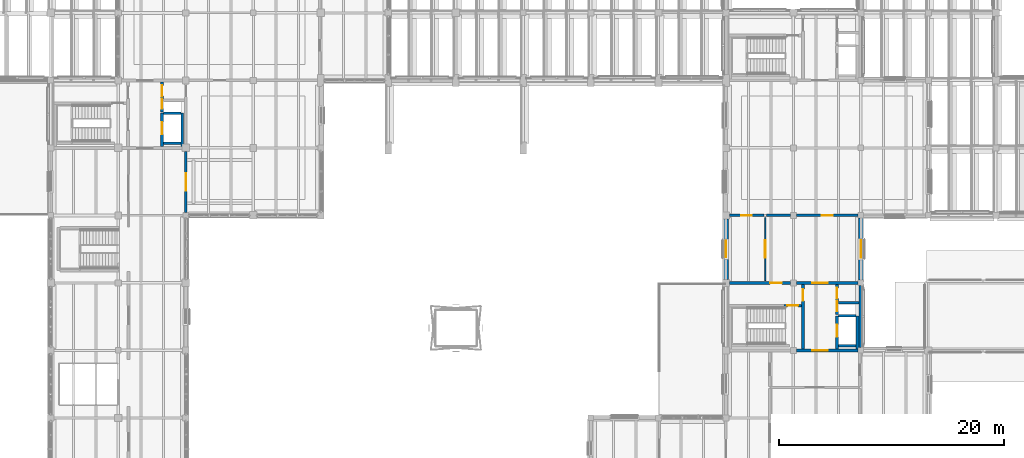
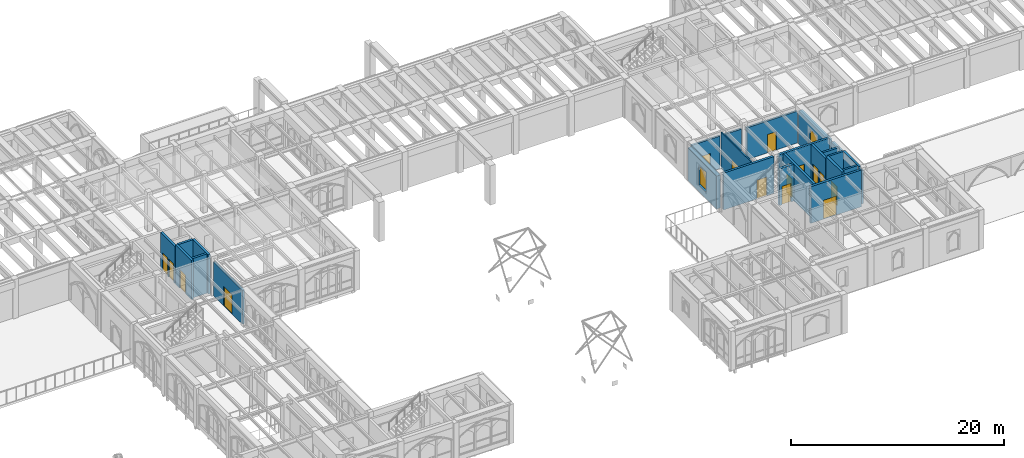
# One storey, part 81 of 127: 24 walls, 15 doors, 2 windows, 17 openings.
"""IFC4 building model written with IfcOpenShell, lengths in metres."""

from ifc_helpers import new_model, si_unit, direction, frame, frame_2d, origin, place, context, subcontext, project, spatial, rectangle, extrude, material, layer, layer_set, type_object, element, fill, save


model = new_model("IFC4")

# Units and contexts
model_context = context("Model", 3, precision=1e-05, world=origin(), true_north=direction((0.0, 1.0)))
body_context = subcontext(model_context, "Body", "Model", "MODEL_VIEW")
ifc_project = project(units=[si_unit("LENGTHUNIT", "METRE"), si_unit("AREAUNIT", "SQUARE_METRE"), si_unit("VOLUMEUNIT", "CUBIC_METRE"), si_unit("PLANEANGLEUNIT", "RADIAN"), si_unit("MASSUNIT", "GRAM", prefix="KILO")], contexts=[model_context])

# Site, building, storey
site_placement = place(None, origin())
site = spatial("IfcSite", under=ifc_project, at=site_placement, CompositionType="ELEMENT")
building_placement = place(site_placement, origin())
building = spatial("IfcBuilding", under=site, at=building_placement, Name="Cumevento Cable Car Station", CompositionType="ELEMENT")
storey_placement = place(building_placement, frame((0.0, 0.0, 4.5)))
storey = spatial("IfcBuildingStorey", under=building, at=storey_placement, Name="L02", CompositionType="ELEMENT", Elevation=4.5)

# Wall
ifc_material_1 = material(Name="Concrete C40/50", Category="concrete")
ifc_layer_1 = layer(ifc_material_1, 0.35498046875)
ifc_layer_set_1 = layer_set([ifc_layer_1], Name="Concrete C40/50")
wall_type_1 = type_object("IfcWallType", Name="Exterior Envelope Wall EW-355 355", PredefinedType="SOLIDWALL", material=ifc_layer_set_1)
wall_1_placement = place(storey_placement, frame((130.0, 26.75, 0.0), z_axis=(0.0, 0.0, 1.0), x_axis=(0.0, -1.0, 0.0)))
element("IfcWall", 1, at=wall_1_placement, inside=storey, type_object=wall_type_1, Name="Exterior Wall EW-355 L02 #166", PredefinedType="SOLIDWALL", context=body_context, shape_type="SweptSolid", body=[
    extrude(rectangle(XDim=5.5, YDim=0.35498046875, at=frame_2d((2.75, 0.0))), origin(), (0.0, 0.0, 1.0), 3.797119140625),
])

# Wall, opening, window
ifc_material_2 = material(Name="Gnaisse Facoidal Stone Ashlar 85 MPa", Category="masonry")
ifc_layer_2 = layer(ifc_material_2, 0.429931640625)
ifc_layer_set_2 = layer_set([ifc_layer_2], Name="Gnaisse Facoidal Stone Ashlar 85 MPa")
wall_type_2 = type_object("IfcWallType", Name="Exterior Envelope Wall EW-430 430", PredefinedType="SOLIDWALL", material=ifc_layer_set_2)
wall_2_placement = place(storey_placement, frame((118.0, 27.300048828125, 0.0), z_axis=(0.0, 0.0, 1.0), x_axis=(0.0, 1.0, 0.0)))
wall_2 = element("IfcWall", 2, at=wall_2_placement, inside=storey, type_object=wall_type_2, Name="Exterior Wall EW-430 L02 #167", PredefinedType="SOLIDWALL", context=body_context, shape_type="SweptSolid", body=[
    extrude(rectangle(XDim=5.39990234375, YDim=0.429931640625, at=frame_2d((2.699951171875, 0.0))), origin(), (0.0, 0.0, 1.0), 3.778076171875),
])
opening_1_placement = place(wall_2_placement, frame((1.97509765625, 0.0, 0.75)))
opening_1 = element("IfcOpeningElement", 3, at=opening_1_placement, cuts=wall_2, Name="Opening WN-L02-055", PredefinedType="OPENING", context=body_context, shape_type="SweptSolid", body=[
    extrude(rectangle(XDim=1.449951171875, YDim=2.25, at=frame_2d((0.72509765625, 1.125))), frame((0.0, 0.224853515625, 0.0), z_axis=(0.0, -1.0, 0.0), x_axis=(1.0, 0.0, 0.0)), (0.0, 0.0, 1.0), 0.449951171875),
])
ifc_material_3 = material(Name="Anodised Bronze Aluminium & Laminated Solar Glass", Category="aluminium")
window_type_1 = type_object("IfcWindowType", Name="Lancet Window WN-07 1450x2250", PartitioningType="SINGLE_PANEL", PredefinedType="WINDOW", material=ifc_material_3)
window_1_placement = place(opening_1_placement, origin())
window_1 = element("IfcWindow", 4, at=window_1_placement, inside=storey, type_object=window_type_1, Name="Lancet Window WN-L02-055 (WN-07)", OverallHeight=2.25, OverallWidth=1.449951171875, PartitioningType="SINGLE_PANEL", PredefinedType="WINDOW", context=body_context, shape_type="SweptSolid", body=[
    extrude(rectangle(XDim=1.449951171875, YDim=2.25, at=frame_2d((0.72509765625, 1.125))), frame((0.0, 0.030029296875, 0.0), z_axis=(0.0, -1.0, 0.0), x_axis=(1.0, 0.0, 0.0)), (0.0, 0.0, 1.0), 0.06005859375),
])
fill(opening_1, window_1)

ifc_material_4 = material(Name="Concrete C40/50", Category="concrete")
ifc_layer_3 = layer(ifc_material_4, 0.449951171875)
ifc_layer_set_3 = layer_set([ifc_layer_3], Name="Concrete C40/50")
wall_type_3 = type_object("IfcWallType", Name="Exterior Envelope Wall EW-450 450", PredefinedType="SOLIDWALL", material=ifc_layer_set_3)
wall_3_placement = place(storey_placement, frame((130.0, 32.75, 0.0), z_axis=(0.0, 0.0, 1.0), x_axis=(0.0, -1.0, 0.0)))
wall_3 = element("IfcWall", 5, at=wall_3_placement, inside=storey, type_object=wall_type_3, Name="Exterior Wall EW-450 L02 #168", PredefinedType="SOLIDWALL", context=body_context, shape_type="SweptSolid", body=[
    extrude(rectangle(XDim=5.5, YDim=0.449951171875, at=frame_2d((2.75, 0.0))), origin(), (0.0, 0.0, 1.0), 3.778076171875),
])
opening_2_placement = place(wall_3_placement, frame((1.97509765625, 0.0, 0.75)))
opening_2 = element("IfcOpeningElement", 6, at=opening_2_placement, cuts=wall_3, Name="Opening WN-L02-056", PredefinedType="OPENING", context=body_context, shape_type="SweptSolid", body=[
    extrude(rectangle(XDim=1.550048828125, YDim=2.25, at=frame_2d((0.77490234375, 1.125))), frame((0.0, 0.235107421875, 0.0), z_axis=(0.0, -1.0, 0.0), x_axis=(1.0, 0.0, 0.0)), (0.0, 0.0, 1.0), 0.469970703125),
])
ifc_material_5 = material(Name="Anodised Bronze Aluminium & Laminated Solar Glass", Category="aluminium")
window_type_2 = type_object("IfcWindowType", Name="Lancet Window WN-08 1550x2250", PartitioningType="DOUBLE_PANEL_VERTICAL", PredefinedType="WINDOW", material=ifc_material_5)
window_2_placement = place(opening_2_placement, origin())
window_2 = element("IfcWindow", 7, at=window_2_placement, inside=storey, type_object=window_type_2, Name="Lancet Window WN-L02-056 (WN-08)", OverallHeight=2.25, OverallWidth=1.550048828125, PartitioningType="SINGLE_PANEL", PredefinedType="WINDOW", context=body_context, shape_type="SweptSolid", body=[
    extrude(rectangle(XDim=1.550048828125, YDim=2.25, at=frame_2d((0.77490234375, 1.125))), frame((0.0, 0.030029296875, 0.0), z_axis=(0.0, -1.0, 0.0), x_axis=(1.0, 0.0, 0.0)), (0.0, 0.0, 1.0), 0.06005859375),
])
fill(opening_2, window_2)

# Wall, opening, door
ifc_material_6 = material(Name="Concrete C40/50", Category="concrete")
ifc_layer_4 = layer(ifc_material_6, 0.219970703125)
ifc_layer_set_4 = layer_set([ifc_layer_4], Name="Concrete C40/50")
wall_type_4 = type_object("IfcWallType", Name="Interior Partition FW-220 220", PredefinedType="SOLIDWALL", material=ifc_layer_set_4)
wall_4_placement = place(storey_placement, frame((70.0, 33.251953125, 0.0), z_axis=(0.0, 0.0, 1.0), x_axis=(0.0, 1.0, 0.0)))
wall_4 = element("IfcWall", 8, at=wall_4_placement, inside=storey, type_object=wall_type_4, Name="Interior Wall FW-220 L02 #609", PredefinedType="SOLIDWALL", context=body_context, shape_type="SweptSolid", body=[
    extrude(rectangle(XDim=5.421142578125, YDim=0.219970703125, at=frame_2d((2.71044921875, 0.0))), origin(), (0.0, 0.0, 1.0), 3.8740234375),
])
opening_3_placement = place(wall_4_placement, frame((1.92041015625, 0.0, 0.0)))
opening_3 = element("IfcOpeningElement", 9, at=opening_3_placement, cuts=wall_4, Name="Opening DR-L02-218", PredefinedType="OPENING", context=body_context, shape_type="SweptSolid", body=[
    extrude(rectangle(XDim=1.580078125, YDim=2.199951171875, at=frame_2d((0.7900390625, 1.10009765625))), frame((0.0, 0.119873046875, 0.0), z_axis=(0.0, -1.0, 0.0), x_axis=(1.0, 0.0, 0.0)), (0.0, 0.0, 1.0), 0.239990234375),
])
ifc_material_7 = material(Name="Galvanised Painted Steel Fire Door", Category="steel")
door_type_1 = type_object("IfcDoorType", Name="Interior Door FD-06 1580x2200", OperationType="NOTDEFINED", PredefinedType="DOOR", material=ifc_material_7)
door_1_placement = place(opening_3_placement, origin())
door_1 = element("IfcDoor", 10, at=door_1_placement, inside=storey, type_object=door_type_1, Name="Interior Door DR-L02-218 (FD-06)", OperationType="DOUBLE_DOOR_SINGLE_SWING", OverallHeight=2.199951171875, OverallWidth=1.580078125, PredefinedType="DOOR", context=body_context, shape_type="SweptSolid", body=[
    extrude(rectangle(XDim=1.580078125, YDim=2.199951171875, at=frame_2d((0.7900390625, 1.10009765625))), frame((0.0, 0.02490234375, 0.0), z_axis=(0.0, -1.0, 0.0), x_axis=(1.0, 0.0, 0.0)), (0.0, 0.0, 1.0), 0.050048828125),
])
fill(opening_3, door_1)

wall_5_placement = place(storey_placement, frame((118.302001953125, 33.0, 0.0), z_axis=(0.0, 0.0, 1.0), x_axis=(1.0, 0.0, 0.0)))
wall_5 = element("IfcWall", 11, at=wall_5_placement, inside=storey, type_object=wall_type_4, Name="Interior Wall FW-220 L02 #624", PredefinedType="SOLIDWALL", context=body_context, shape_type="SweptSolid", body=[
    extrude(rectangle(XDim=3.097900390625, YDim=0.219970703125, at=frame_2d((1.548828125, 0.0))), origin(), (0.0, 0.0, 1.0), 3.721923828125),
])
opening_4_placement = place(wall_5_placement, frame((1.0791015625, 0.0, 0.0)))
opening_4 = element("IfcOpeningElement", 12, at=opening_4_placement, cuts=wall_5, Name="Opening DR-L02-228", PredefinedType="OPENING", context=body_context, shape_type="SweptSolid", body=[
    extrude(rectangle(XDim=0.93994140625, YDim=2.10009765625, at=frame_2d((0.469970703125, 1.050048828125))), frame((0.0, 0.119873046875, 0.0), z_axis=(0.0, -1.0, 0.0), x_axis=(1.0, 0.0, 0.0)), (0.0, 0.0, 1.0), 0.239990234375),
])
ifc_material_8 = material(Name="Galvanised Painted Steel Fire Door", Category="steel")
door_type_2 = type_object("IfcDoorType", Name="Interior Door FD-08 940x2100", OperationType="NOTDEFINED", PredefinedType="DOOR", material=ifc_material_8)
door_2_placement = place(opening_4_placement, origin())
door_2 = element("IfcDoor", 13, at=door_2_placement, inside=storey, type_object=door_type_2, Name="Interior Door DR-L02-228 (FD-08)", OperationType="SINGLE_SWING_RIGHT", OverallHeight=2.10009765625, OverallWidth=0.93994140625, PredefinedType="DOOR", context=body_context, shape_type="SweptSolid", body=[
    extrude(rectangle(XDim=0.93994140625, YDim=2.10009765625, at=frame_2d((0.469970703125, 1.050048828125))), frame((0.0, 0.02490234375, 0.0), z_axis=(0.0, -1.0, 0.0), x_axis=(1.0, 0.0, 0.0)), (0.0, 0.0, 1.0), 0.050048828125),
])
fill(opening_4, door_2)

wall_6_placement = place(storey_placement, frame((124.277099609375, 33.0, 0.0), z_axis=(0.0, 0.0, 1.0), x_axis=(1.0, 0.0, 0.0)))
wall_6 = element("IfcWall", 14, at=wall_6_placement, inside=storey, type_object=wall_type_4, Name="Interior Wall FW-220 L02 #625", PredefinedType="SOLIDWALL", context=body_context, shape_type="SweptSolid", body=[
    extrude(rectangle(XDim=5.470947265625, YDim=0.219970703125, at=frame_2d((2.7353515625, 0.0))), origin(), (0.0, 0.0, 1.0), 3.64599609375),
])
opening_5_placement = place(wall_6_placement, frame((2.265380859375, 0.0, 0.0)))
opening_5 = element("IfcOpeningElement", 15, at=opening_5_placement, cuts=wall_6, Name="Opening DR-L02-229", PredefinedType="OPENING", context=body_context, shape_type="SweptSolid", body=[
    extrude(rectangle(XDim=0.93994140625, YDim=2.10009765625, at=frame_2d((0.469970703125, 1.050048828125))), frame((0.0, 0.119873046875, 0.0), z_axis=(0.0, -1.0, 0.0), x_axis=(1.0, 0.0, 0.0)), (0.0, 0.0, 1.0), 0.239990234375),
])
door_3_placement = place(opening_5_placement, origin())
door_3 = element("IfcDoor", 16, at=door_3_placement, inside=storey, type_object=door_type_2, Name="Interior Door DR-L02-229 (FD-08)", OperationType="SINGLE_SWING_LEFT", OverallHeight=2.10009765625, OverallWidth=0.93994140625, PredefinedType="DOOR", context=body_context, shape_type="SweptSolid", body=[
    extrude(rectangle(XDim=0.93994140625, YDim=2.10009765625, at=frame_2d((0.469970703125, 1.050048828125))), frame((0.0, 0.02490234375, 0.0), z_axis=(0.0, -1.0, 0.0), x_axis=(1.0, 0.0, 0.0)), (0.0, 0.0, 1.0), 0.050048828125),
])
fill(opening_5, door_3)

# Wall
wall_7_placement = place(storey_placement, frame((121.60009765625, 33.0, 0.0), z_axis=(0.0, 0.0, 1.0), x_axis=(1.0, 0.0, 0.0)))
element("IfcWall", 17, at=wall_7_placement, inside=storey, type_object=wall_type_4, Name="Interior Wall FW-220 L02 #626", PredefinedType="SOLIDWALL", context=body_context, shape_type="SweptSolid", body=[
    extrude(rectangle(XDim=2.122802734375, YDim=0.219970703125, at=frame_2d((1.0615234375, 0.0))), origin(), (0.0, 0.0, 1.0), 3.721923828125),
])

# Wall, opening, door
ifc_material_9 = material(Name="Gypsum Board & Insulated Stud Partition", Category="gypsum")
ifc_layer_5 = layer(ifc_material_9, 0.125)
ifc_layer_set_5 = layer_set([ifc_layer_5], Name="Gypsum Board & Insulated Stud Partition")
wall_type_5 = type_object("IfcWallType", Name="Interior Partition PT-125 125", PredefinedType="PARTITIONING", material=ifc_layer_set_5)
wall_8_placement = place(storey_placement, frame((121.5, 27.199951171875, 0.0), z_axis=(0.0, 0.0, 1.0), x_axis=(0.0, 1.0, 0.0)))
wall_8 = element("IfcWall", 18, at=wall_8_placement, inside=storey, type_object=wall_type_5, Name="Interior Wall PT-125 L02 #623", PredefinedType="PARTITIONING", context=body_context, shape_type="SweptSolid", body=[
    extrude(rectangle(XDim=5.60009765625, YDim=0.125, at=frame_2d((2.800048828125, 0.0))), origin(), (0.0, 0.0, 1.0), 4.2041015625),
])
opening_6_placement = place(wall_8_placement, frame((2.030029296875, 0.0, 0.0)))
opening_6 = element("IfcOpeningElement", 19, at=opening_6_placement, cuts=wall_8, Name="Opening DR-L02-227", PredefinedType="OPENING", context=body_context, shape_type="SweptSolid", body=[
    extrude(rectangle(XDim=1.5400390625, YDim=2.260009765625, at=frame_2d((0.77001953125, 1.1298828125))), frame((0.0, 0.072509765625, 0.0), z_axis=(0.0, -1.0, 0.0), x_axis=(1.0, 0.0, 0.0)), (0.0, 0.0, 1.0), 0.14501953125),
])
ifc_material_10 = material(Name="Anodised Bronze Aluminium Glazed Door", Category="aluminium")
door_type_3 = type_object("IfcDoorType", Name="Interior Door ID-11 1540x2260", OperationType="NOTDEFINED", PredefinedType="DOOR", material=ifc_material_10)
door_4_placement = place(opening_6_placement, origin())
door_4 = element("IfcDoor", 20, at=door_4_placement, inside=storey, type_object=door_type_3, Name="Interior Door DR-L02-227 (ID-11)", OperationType="DOUBLE_DOOR_SINGLE_SWING", OverallHeight=2.260009765625, OverallWidth=1.5400390625, PredefinedType="DOOR", context=body_context, shape_type="SweptSolid", body=[
    extrude(rectangle(XDim=1.5400390625, YDim=2.260009765625, at=frame_2d((0.77001953125, 1.1298828125))), frame((0.0, 0.02490234375, 0.0), z_axis=(0.0, -1.0, 0.0), x_axis=(1.0, 0.0, 0.0)), (0.0, 0.0, 1.0), 0.050048828125),
])
fill(opening_6, door_4)

# Walls
ifc_material_11 = material(Name="Concrete C40/50", Category="concrete")
ifc_layer_6 = layer(ifc_material_11, 0.22998046875)
ifc_layer_set_6 = layer_set([ifc_layer_6], Name="Concrete C40/50")
wall_type_6 = type_object("IfcWallType", Name="Interior Shear Wall CW-230 230", PredefinedType="SHEAR", material=ifc_layer_set_6)
wall_9_placement = place(storey_placement, frame((68.0048828125, 39.419921875, 0.0), z_axis=(0.0, 0.0, 1.0), x_axis=(1.0, 0.0, 0.0)))
element("IfcWall", 21, at=wall_9_placement, inside=storey, type_object=wall_type_6, Name="Interior Wall CW-230 L02 #164", PredefinedType="SHEAR", context=body_context, shape_type="SweptSolid", body=[
    extrude(rectangle(XDim=1.580078125, YDim=0.22998046875, at=frame_2d((0.7900390625, 0.0))), origin(), (0.0, 0.0, 1.0), 4.5),
])
wall_10_placement = place(storey_placement, frame((69.699951171875, 39.114990234375, 0.0), z_axis=(0.0, 0.0, 1.0), x_axis=(0.0, 1.0, 0.0)))
element("IfcWall", 22, at=wall_10_placement, inside=storey, type_object=wall_type_6, Name="Interior Wall CW-230 L02 #165", PredefinedType="SHEAR", context=body_context, shape_type="SweptSolid", body=[
    extrude(rectangle(XDim=2.965087890625, YDim=0.22998046875, at=frame_2d((1.482421875, 0.0))), origin(), (0.0, 0.0, 1.0), 4.5),
])
for number, where, z_axis, x_axis, name in (
    (23, (68.0048828125, 42.080078125, 0.0), (0.0, 0.0, 1.0), (1.0, 0.0, 0.0), "Interior Wall CW-230 L02 #166"),
    (24, (128.0048828125, 21.419921875, 0.0), (0.0, 0.0, 1.0), (1.0, 0.0, 0.0), "Interior Wall CW-230 L02 #429"),
):
    element("IfcWall", number, at=place(storey_placement, frame(where, z_axis=z_axis, x_axis=x_axis)), inside=storey, type_object=wall_type_6, Name=name, PredefinedType="SHEAR", context=body_context, shape_type="SweptSolid", body=[
        extrude(rectangle(XDim=1.580078125, YDim=0.22998046875, at=frame_2d((0.7900390625, 0.0))), origin(), (0.0, 0.0, 1.0), 4.5),
    ])
wall_11_placement = place(storey_placement, frame((129.699951171875, 21.114990234375, 0.0), z_axis=(0.0, 0.0, 1.0), x_axis=(0.0, 1.0, 0.0)))
element("IfcWall", 25, at=wall_11_placement, inside=storey, type_object=wall_type_6, Name="Interior Wall CW-230 L02 #430", PredefinedType="SHEAR", context=body_context, shape_type="SweptSolid", body=[
    extrude(rectangle(XDim=2.965087890625, YDim=0.22998046875, at=frame_2d((1.482421875, 0.0))), origin(), (0.0, 0.0, 1.0), 4.5),
])
wall_12_placement = place(storey_placement, frame((128.0048828125, 24.080078125, 0.0), z_axis=(0.0, 0.0, 1.0), x_axis=(1.0, 0.0, 0.0)))
element("IfcWall", 26, at=wall_12_placement, inside=storey, type_object=wall_type_6, Name="Interior Wall CW-230 L02 #431", PredefinedType="SHEAR", context=body_context, shape_type="SweptSolid", body=[
    extrude(rectangle(XDim=1.580078125, YDim=0.22998046875, at=frame_2d((0.7900390625, 0.0))), origin(), (0.0, 0.0, 1.0), 4.5),
])
wall_13_placement = place(storey_placement, frame((128.0048828125, 25.219970703125, 0.0), z_axis=(0.0, 0.0, 1.0), x_axis=(1.0, 0.0, 0.0)))
element("IfcWall", 27, at=wall_13_placement, inside=storey, type_object=wall_type_6, Name="Interior Wall CW-230 L02 #433", PredefinedType="SHEAR", context=body_context, shape_type="SweptSolid", body=[
    extrude(rectangle(XDim=1.820068359375, YDim=0.22998046875, at=frame_2d((0.91015625, 0.0))), origin(), (0.0, 0.0, 1.0), 4.2041015625),
])

# Wall, opening, door
ifc_material_12 = material(Name="Concrete C40/50", Category="concrete")
ifc_layer_7 = layer(ifc_material_12, 0.25)
ifc_layer_set_7 = layer_set([ifc_layer_7], Name="Concrete C40/50")
wall_type_7 = type_object("IfcWallType", Name="Interior Shear Wall CW-250 250", PredefinedType="SHEAR", material=ifc_layer_set_7)
wall_14_placement = place(storey_placement, frame((67.8798828125, 39.114990234375, 0.0), z_axis=(0.0, 0.0, 1.0), x_axis=(0.0, 1.0, 0.0)))
wall_14 = element("IfcWall", 28, at=wall_14_placement, inside=storey, type_object=wall_type_7, Name="Interior Wall CW-250 L02 #163", PredefinedType="SHEAR", context=body_context, shape_type="SweptSolid", body=[
    extrude(rectangle(XDim=2.965087890625, YDim=0.25, at=frame_2d((1.482421875, 0.0))), origin(), (0.0, 0.0, 1.0), 4.5),
])
opening_7_placement = place(wall_14_placement, frame((1.094970703125, 0.0, 0.0)))
opening_7 = element("IfcOpeningElement", 29, at=opening_7_placement, cuts=wall_14, Name="Opening LD-LF01-L02", PredefinedType="OPENING", context=body_context, shape_type="SweptSolid", body=[
    extrude(rectangle(XDim=1.080078125, YDim=2.14990234375, at=frame_2d((0.5400390625, 1.074951171875))), frame((0.0, 0.135009765625, 0.0), z_axis=(0.0, -1.0, 0.0), x_axis=(1.0, 0.0, 0.0)), (0.0, 0.0, 1.0), 0.27001953125),
])
ifc_material_13 = material(Name="Brushed Stainless Steel Lift Door", Category="steel")
door_type_4 = type_object("IfcDoorType", Name="Interior Door LD-01 1080x2150", OperationType="NOTDEFINED", PredefinedType="DOOR", material=ifc_material_13)
door_5_placement = place(opening_7_placement, origin())
door_5 = element("IfcDoor", 30, at=door_5_placement, inside=storey, type_object=door_type_4, Name="Lift Landing Door LD-LF01-L02", OperationType="DOUBLE_DOOR_SLIDING", OverallHeight=2.14990234375, OverallWidth=1.080078125, PredefinedType="DOOR", context=body_context, shape_type="SweptSolid", body=[
    extrude(rectangle(XDim=1.080078125, YDim=2.14990234375, at=frame_2d((0.5400390625, 1.074951171875))), frame((0.0, 0.02490234375, 0.0), z_axis=(0.0, -1.0, 0.0), x_axis=(1.0, 0.0, 0.0)), (0.0, 0.0, 1.0), 0.050048828125),
])
fill(opening_7, door_5)

# Wall, openings, doors
wall_15_placement = place(storey_placement, frame((67.8798828125, 42.199951171875, 0.0), z_axis=(0.0, 0.0, 1.0), x_axis=(0.0, 1.0, 0.0)))
wall_15 = element("IfcWall", 31, at=wall_15_placement, inside=storey, type_object=wall_type_7, Name="Interior Wall CW-250 L02 #167", PredefinedType="SHEAR", context=body_context, shape_type="SweptSolid", body=[
    extrude(rectangle(XDim=2.675048828125, YDim=0.25, at=frame_2d((1.33740234375, 0.0))), origin(), (0.0, 0.0, 1.0), 4.22802734375),
])
opening_8_placement = place(wall_15_placement, frame((0.280029296875, 0.0, 0.0)))
opening_8 = element("IfcOpeningElement", 32, at=opening_8_placement, cuts=wall_15, Name="Opening DR-L02-015", PredefinedType="OPENING", context=body_context, shape_type="SweptSolid", body=[
    extrude(rectangle(XDim=0.8798828125, YDim=2.080078125, at=frame_2d((0.43994140625, 1.0400390625))), frame((0.0, 0.135009765625, 0.0), z_axis=(0.0, -1.0, 0.0), x_axis=(1.0, 0.0, 0.0)), (0.0, 0.0, 1.0), 0.27001953125),
])
opening_9_placement = place(wall_15_placement, frame((1.39990234375, 0.0, 0.0)))
opening_9 = element("IfcOpeningElement", 33, at=opening_9_placement, cuts=wall_15, Name="Opening DR-L02-016", PredefinedType="OPENING", context=body_context, shape_type="SweptSolid", body=[
    extrude(rectangle(XDim=0.9599609375, YDim=2.1201171875, at=frame_2d((0.47998046875, 1.06005859375))), frame((0.0, 0.135009765625, 0.0), z_axis=(0.0, -1.0, 0.0), x_axis=(1.0, 0.0, 0.0)), (0.0, 0.0, 1.0), 0.27001953125),
])
ifc_material_14 = material(Name="Galvanised Painted Steel Fire Door", Category="steel")
door_type_5 = type_object("IfcDoorType", Name="Interior Door FD-01 960x2120", OperationType="NOTDEFINED", PredefinedType="DOOR", material=ifc_material_14)
door_6_placement = place(opening_9_placement, origin())
door_6 = element("IfcDoor", 34, at=door_6_placement, inside=storey, type_object=door_type_5, Name="East Vestibule Lobby Door CORE1 L02", OperationType="SINGLE_SWING_LEFT", OverallHeight=2.1201171875, OverallWidth=0.9599609375, PredefinedType="DOOR", context=body_context, shape_type="SweptSolid", body=[
    extrude(rectangle(XDim=0.9599609375, YDim=2.1201171875, at=frame_2d((0.47998046875, 1.06005859375))), frame((0.0, 0.02490234375, 0.0), z_axis=(0.0, -1.0, 0.0), x_axis=(1.0, 0.0, 0.0)), (0.0, 0.0, 1.0), 0.050048828125),
])
fill(opening_9, door_6)
ifc_material_15 = material(Name="Galvanised Painted Steel Fire Door", Category="steel")
door_type_6 = type_object("IfcDoorType", Name="Interior Door FD-07 880x2080", OperationType="NOTDEFINED", PredefinedType="DOOR", material=ifc_material_15)
door_7_placement = place(opening_8_placement, origin())
door_7 = element("IfcDoor", 35, at=door_7_placement, inside=storey, type_object=door_type_6, Name="MEP Riser Access Door CORE1 L02", OperationType="SINGLE_SWING_RIGHT", OverallHeight=2.080078125, OverallWidth=0.8798828125, PredefinedType="DOOR", context=body_context, shape_type="SweptSolid", body=[
    extrude(rectangle(XDim=0.8798828125, YDim=2.080078125, at=frame_2d((0.43994140625, 1.0400390625))), frame((0.0, 0.02490234375, 0.0), z_axis=(0.0, -1.0, 0.0), x_axis=(1.0, 0.0, 0.0)), (0.0, 0.0, 1.0), 0.050048828125),
])
fill(opening_8, door_7)

# Wall, opening, door
wall_16_placement = place(storey_placement, frame((124.27490234375, 21.0, 0.0), z_axis=(0.0, 0.0, 1.0), x_axis=(1.0, 0.0, 0.0)))
wall_16 = element("IfcWall", 36, at=wall_16_placement, inside=storey, type_object=wall_type_7, Name="Interior Wall CW-250 L02 #420", PredefinedType="SHEAR", context=body_context, shape_type="SweptSolid", body=[
    extrude(rectangle(XDim=5.47509765625, YDim=0.25, at=frame_2d((2.737548828125, 0.0))), origin(), (0.0, 0.0, 1.0), 4.2041015625),
])
opening_10_placement = place(wall_16_placement, frame((1.385009765625, 0.0, 0.0)))
opening_10 = element("IfcOpeningElement", 37, at=opening_10_placement, cuts=wall_16, Name="Opening DR-L02-130", PredefinedType="OPENING", context=body_context, shape_type="SweptSolid", body=[
    extrude(rectangle(XDim=1.3798828125, YDim=2.159912109375, at=frame_2d((0.68994140625, 1.080078125))), frame((0.0, 0.135009765625, 0.0), z_axis=(0.0, -1.0, 0.0), x_axis=(1.0, 0.0, 0.0)), (0.0, 0.0, 1.0), 0.27001953125),
])
ifc_material_16 = material(Name="Galvanised Painted Steel Fire Door", Category="steel")
door_type_7 = type_object("IfcDoorType", Name="Interior Door FD-04 1380x2160", OperationType="NOTDEFINED", PredefinedType="DOOR", material=ifc_material_16)
door_8_placement = place(opening_10_placement, origin())
door_8 = element("IfcDoor", 38, at=door_8_placement, inside=storey, type_object=door_type_7, Name="Core CORE5 S_lobby Fire Door L02", OperationType="DOUBLE_DOOR_SINGLE_SWING", OverallHeight=2.159912109375, OverallWidth=1.3798828125, PredefinedType="DOOR", context=body_context, shape_type="SweptSolid", body=[
    extrude(rectangle(XDim=1.3798828125, YDim=2.159912109375, at=frame_2d((0.68994140625, 1.080078125))), frame((0.0, 0.02490234375, 0.0), z_axis=(0.0, -1.0, 0.0), x_axis=(1.0, 0.0, 0.0)), (0.0, 0.0, 1.0), 0.050048828125),
])
fill(opening_10, door_8)

wall_17_placement = place(storey_placement, frame((118.300048828125, 27.0, 0.0), z_axis=(0.0, 0.0, 1.0), x_axis=(1.0, 0.0, 0.0)))
wall_17 = element("IfcWall", 39, at=wall_17_placement, inside=storey, type_object=wall_type_7, Name="Interior Wall CW-250 L02 #421", PredefinedType="SHEAR", context=body_context, shape_type="SweptSolid", body=[
    extrude(rectangle(XDim=5.425048828125, YDim=0.25, at=frame_2d((2.71240234375, 0.0))), origin(), (0.0, 0.0, 1.0), 4.2041015625),
])
opening_11_placement = place(wall_17_placement, frame((3.6298828125, 0.0, 0.0)))
opening_11 = element("IfcOpeningElement", 40, at=opening_11_placement, cuts=wall_17, Name="Opening DR-L02-131", PredefinedType="OPENING", context=body_context, shape_type="SweptSolid", body=[
    extrude(rectangle(XDim=1.0400390625, YDim=2.139892578125, at=frame_2d((0.52001953125, 1.06982421875))), frame((0.0, 0.135009765625, 0.0), z_axis=(0.0, -1.0, 0.0), x_axis=(1.0, 0.0, 0.0)), (0.0, 0.0, 1.0), 0.27001953125),
])
ifc_material_17 = material(Name="Galvanised Painted Steel Fire Door", Category="steel")
door_type_8 = type_object("IfcDoorType", Name="Interior Door FD-02 1040x2140", OperationType="NOTDEFINED", PredefinedType="DOOR", material=ifc_material_17)
door_9_placement = place(opening_11_placement, origin())
door_9 = element("IfcDoor", 41, at=door_9_placement, inside=storey, type_object=door_type_8, Name="Core CORE5 N_vest Fire Door L02", OperationType="SINGLE_SWING_RIGHT", OverallHeight=2.139892578125, OverallWidth=1.0400390625, PredefinedType="DOOR", context=body_context, shape_type="SweptSolid", body=[
    extrude(rectangle(XDim=1.0400390625, YDim=2.139892578125, at=frame_2d((0.52001953125, 1.06982421875))), frame((0.0, 0.02490234375, 0.0), z_axis=(0.0, -1.0, 0.0), x_axis=(1.0, 0.0, 0.0)), (0.0, 0.0, 1.0), 0.050048828125),
])
fill(opening_11, door_9)

wall_18_placement = place(storey_placement, frame((124.27490234375, 27.0, 0.0), z_axis=(0.0, 0.0, 1.0), x_axis=(1.0, 0.0, 0.0)))
wall_18 = element("IfcWall", 42, at=wall_18_placement, inside=storey, type_object=wall_type_7, Name="Interior Wall CW-250 L02 #422", PredefinedType="SHEAR", context=body_context, shape_type="SweptSolid", body=[
    extrude(rectangle(XDim=5.47509765625, YDim=0.25, at=frame_2d((2.737548828125, 0.0))), origin(), (0.0, 0.0, 1.0), 4.2041015625),
])
opening_12_placement = place(wall_18_placement, frame((1.385009765625, 0.0, 0.0)))
opening_12 = element("IfcOpeningElement", 43, at=opening_12_placement, cuts=wall_18, Name="Opening DR-L02-132", PredefinedType="OPENING", context=body_context, shape_type="SweptSolid", body=[
    extrude(rectangle(XDim=1.3798828125, YDim=2.159912109375, at=frame_2d((0.68994140625, 1.080078125))), frame((0.0, 0.135009765625, 0.0), z_axis=(0.0, -1.0, 0.0), x_axis=(1.0, 0.0, 0.0)), (0.0, 0.0, 1.0), 0.27001953125),
])
door_10_placement = place(opening_12_placement, origin())
door_10 = element("IfcDoor", 44, at=door_10_placement, inside=storey, type_object=door_type_7, Name="Core CORE5 N_lobby Fire Door L02", OperationType="DOUBLE_DOOR_SINGLE_SWING", OverallHeight=2.159912109375, OverallWidth=1.3798828125, PredefinedType="DOOR", context=body_context, shape_type="SweptSolid", body=[
    extrude(rectangle(XDim=1.3798828125, YDim=2.159912109375, at=frame_2d((0.68994140625, 1.080078125))), frame((0.0, 0.02490234375, 0.0), z_axis=(0.0, -1.0, 0.0), x_axis=(1.0, 0.0, 0.0)), (0.0, 0.0, 1.0), 0.050048828125),
])
fill(opening_12, door_10)

wall_19_placement = place(storey_placement, frame((123.159912109375, 24.97509765625, 0.0), z_axis=(0.0, 0.0, 1.0), x_axis=(1.0, 0.0, 0.0)))
wall_19 = element("IfcWall", 45, at=wall_19_placement, inside=storey, type_object=wall_type_7, Name="Interior Wall CW-250 L02 #426", PredefinedType="SHEAR", context=body_context, shape_type="SweptSolid", body=[
    extrude(rectangle(XDim=1.580078125, YDim=0.25, at=frame_2d((0.7900390625, 0.0))), origin(), (0.0, 0.0, 1.0), 4.2041015625),
])
opening_13_placement = place(wall_19_placement, frame((0.31005859375, 0.0, 0.0)))
opening_13 = element("IfcOpeningElement", 46, at=opening_13_placement, cuts=wall_19, Name="Opening DR-L02-133", PredefinedType="OPENING", context=body_context, shape_type="SweptSolid", body=[
    extrude(rectangle(XDim=0.9599609375, YDim=2.1201171875, at=frame_2d((0.47998046875, 1.06005859375))), frame((0.0, 0.135009765625, 0.0), z_axis=(0.0, -1.0, 0.0), x_axis=(1.0, 0.0, 0.0)), (0.0, 0.0, 1.0), 0.27001953125),
])
door_11_placement = place(opening_13_placement, origin())
door_11 = element("IfcDoor", 47, at=door_11_placement, inside=storey, type_object=door_type_5, Name="Stair ST-05 Enclosure Door L02", OperationType="SINGLE_SWING_LEFT", OverallHeight=2.1201171875, OverallWidth=0.9599609375, PredefinedType="DOOR", context=body_context, shape_type="SweptSolid", body=[
    extrude(rectangle(XDim=0.9599609375, YDim=2.1201171875, at=frame_2d((0.47998046875, 1.06005859375))), frame((0.0, 0.02490234375, 0.0), z_axis=(0.0, -1.0, 0.0), x_axis=(1.0, 0.0, 0.0)), (0.0, 0.0, 1.0), 0.050048828125),
])
fill(opening_13, door_11)

wall_20_placement = place(storey_placement, frame((124.864990234375, 21.125, 0.0), z_axis=(0.0, 0.0, 1.0), x_axis=(0.0, 1.0, 0.0)))
wall_20 = element("IfcWall", 48, at=wall_20_placement, inside=storey, type_object=wall_type_7, Name="Interior Wall CW-250 L02 #427", PredefinedType="SHEAR", context=body_context, shape_type="SweptSolid", body=[
    extrude(rectangle(XDim=5.75, YDim=0.25, at=frame_2d((2.875, 0.0))), origin(), (0.0, 0.0, 1.0), 4.2041015625),
])
opening_14_placement = place(wall_20_placement, frame((4.27490234375, 0.0, 0.0)))
opening_14 = element("IfcOpeningElement", 49, at=opening_14_placement, cuts=wall_20, Name="Opening DR-L02-134", PredefinedType="OPENING", context=body_context, shape_type="SweptSolid", body=[
    extrude(rectangle(XDim=1.0400390625, YDim=2.139892578125, at=frame_2d((0.52001953125, 1.06982421875))), frame((0.0, 0.135009765625, 0.0), z_axis=(0.0, -1.0, 0.0), x_axis=(1.0, 0.0, 0.0)), (0.0, 0.0, 1.0), 0.27001953125),
])
door_12_placement = place(opening_14_placement, origin())
door_12 = element("IfcDoor", 50, at=door_12_placement, inside=storey, type_object=door_type_8, Name="Lobby Vestibule Door CORE5 L02", OperationType="SINGLE_SWING_RIGHT", OverallHeight=2.139892578125, OverallWidth=1.0400390625, PredefinedType="DOOR", context=body_context, shape_type="SweptSolid", body=[
    extrude(rectangle(XDim=1.0400390625, YDim=2.139892578125, at=frame_2d((0.52001953125, 1.06982421875))), frame((0.0, 0.02490234375, 0.0), z_axis=(0.0, -1.0, 0.0), x_axis=(1.0, 0.0, 0.0)), (0.0, 0.0, 1.0), 0.050048828125),
])
fill(opening_14, door_12)

wall_21_placement = place(storey_placement, frame((127.8798828125, 21.114990234375, 0.0), z_axis=(0.0, 0.0, 1.0), x_axis=(0.0, 1.0, 0.0)))
wall_21 = element("IfcWall", 51, at=wall_21_placement, inside=storey, type_object=wall_type_7, Name="Interior Wall CW-250 L02 #428", PredefinedType="SHEAR", context=body_context, shape_type="SweptSolid", body=[
    extrude(rectangle(XDim=2.965087890625, YDim=0.25, at=frame_2d((1.482421875, 0.0))), origin(), (0.0, 0.0, 1.0), 4.5),
])
opening_15_placement = place(wall_21_placement, frame((1.094970703125, 0.0, 0.0)))
opening_15 = element("IfcOpeningElement", 52, at=opening_15_placement, cuts=wall_21, Name="Opening LD-LF05-L02", PredefinedType="OPENING", context=body_context, shape_type="SweptSolid", body=[
    extrude(rectangle(XDim=1.080078125, YDim=2.14990234375, at=frame_2d((0.5400390625, 1.074951171875))), frame((0.0, 0.135009765625, 0.0), z_axis=(0.0, -1.0, 0.0), x_axis=(1.0, 0.0, 0.0)), (0.0, 0.0, 1.0), 0.27001953125),
])
door_13_placement = place(opening_15_placement, origin())
door_13 = element("IfcDoor", 53, at=door_13_placement, inside=storey, type_object=door_type_4, Name="Lift Landing Door LD-LF05-L02", OperationType="DOUBLE_DOOR_SLIDING", OverallHeight=2.14990234375, OverallWidth=1.080078125, PredefinedType="DOOR", context=body_context, shape_type="SweptSolid", body=[
    extrude(rectangle(XDim=1.080078125, YDim=2.14990234375, at=frame_2d((0.5400390625, 1.074951171875))), frame((0.0, 0.02490234375, 0.0), z_axis=(0.0, -1.0, 0.0), x_axis=(1.0, 0.0, 0.0)), (0.0, 0.0, 1.0), 0.050048828125),
])
fill(opening_15, door_13)

# Wall, openings, doors
wall_22_placement = place(storey_placement, frame((127.8798828125, 24.199951171875, 0.0), z_axis=(0.0, 0.0, 1.0), x_axis=(0.0, 1.0, 0.0)))
wall_22 = element("IfcWall", 54, at=wall_22_placement, inside=storey, type_object=wall_type_7, Name="Interior Wall CW-250 L02 #432", PredefinedType="SHEAR", context=body_context, shape_type="SweptSolid", body=[
    extrude(rectangle(XDim=2.675048828125, YDim=0.25, at=frame_2d((1.33740234375, 0.0))), origin(), (0.0, 0.0, 1.0), 4.2041015625),
])
opening_16_placement = place(wall_22_placement, frame((0.280029296875, 0.0, 0.0)))
opening_16 = element("IfcOpeningElement", 55, at=opening_16_placement, cuts=wall_22, Name="Opening DR-L02-136", PredefinedType="OPENING", context=body_context, shape_type="SweptSolid", body=[
    extrude(rectangle(XDim=0.8798828125, YDim=2.080078125, at=frame_2d((0.43994140625, 1.0400390625))), frame((0.0, 0.135009765625, 0.0), z_axis=(0.0, -1.0, 0.0), x_axis=(1.0, 0.0, 0.0)), (0.0, 0.0, 1.0), 0.27001953125),
])
opening_17_placement = place(wall_22_placement, frame((1.39990234375, 0.0, 0.0)))
opening_17 = element("IfcOpeningElement", 56, at=opening_17_placement, cuts=wall_22, Name="Opening DR-L02-137", PredefinedType="OPENING", context=body_context, shape_type="SweptSolid", body=[
    extrude(rectangle(XDim=0.9599609375, YDim=2.1201171875, at=frame_2d((0.47998046875, 1.06005859375))), frame((0.0, 0.135009765625, 0.0), z_axis=(0.0, -1.0, 0.0), x_axis=(1.0, 0.0, 0.0)), (0.0, 0.0, 1.0), 0.27001953125),
])
door_14_placement = place(opening_17_placement, origin())
door_14 = element("IfcDoor", 57, at=door_14_placement, inside=storey, type_object=door_type_5, Name="East Vestibule Lobby Door CORE5 L02", OperationType="SINGLE_SWING_RIGHT", OverallHeight=2.1201171875, OverallWidth=0.9599609375, PredefinedType="DOOR", context=body_context, shape_type="SweptSolid", body=[
    extrude(rectangle(XDim=0.9599609375, YDim=2.1201171875, at=frame_2d((0.47998046875, 1.06005859375))), frame((0.0, 0.02490234375, 0.0), z_axis=(0.0, -1.0, 0.0), x_axis=(1.0, 0.0, 0.0)), (0.0, 0.0, 1.0), 0.050048828125),
])
fill(opening_17, door_14)
door_15_placement = place(opening_16_placement, origin())
door_15 = element("IfcDoor", 58, at=door_15_placement, inside=storey, type_object=door_type_6, Name="MEP Riser Access Door CORE5 L02", OperationType="SINGLE_SWING_LEFT", OverallHeight=2.080078125, OverallWidth=0.8798828125, PredefinedType="DOOR", context=body_context, shape_type="SweptSolid", body=[
    extrude(rectangle(XDim=0.8798828125, YDim=2.080078125, at=frame_2d((0.43994140625, 1.0400390625))), frame((0.0, 0.02490234375, 0.0), z_axis=(0.0, -1.0, 0.0), x_axis=(1.0, 0.0, 0.0)), (0.0, 0.0, 1.0), 0.050048828125),
])
fill(opening_16, door_15)

save(model, "model.ifc")
